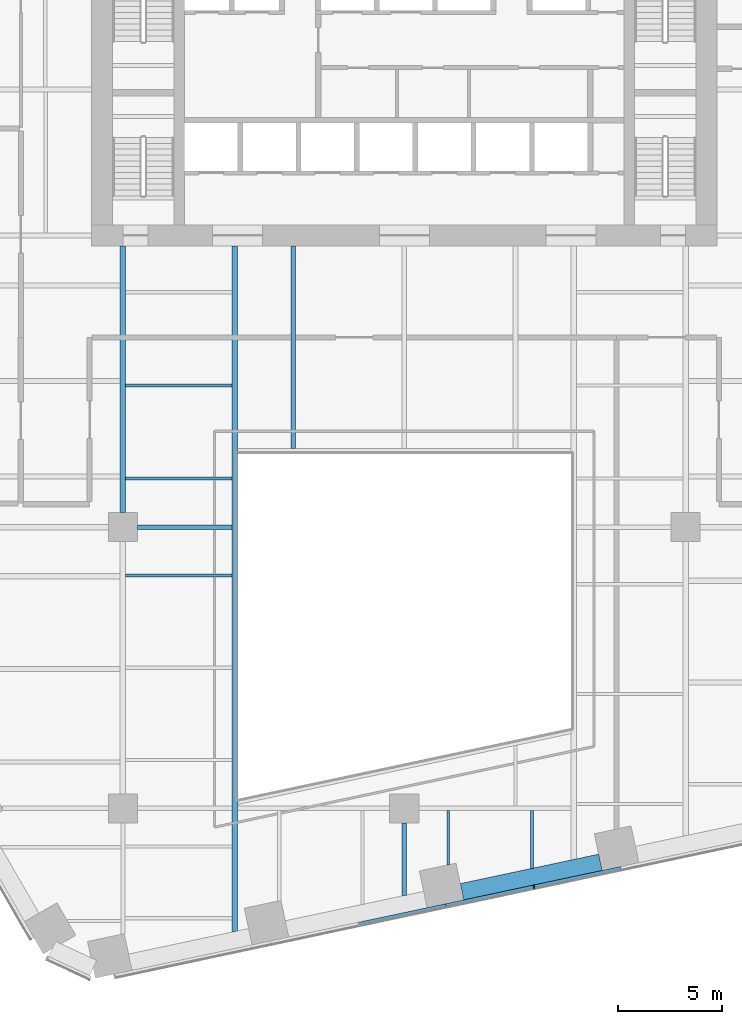
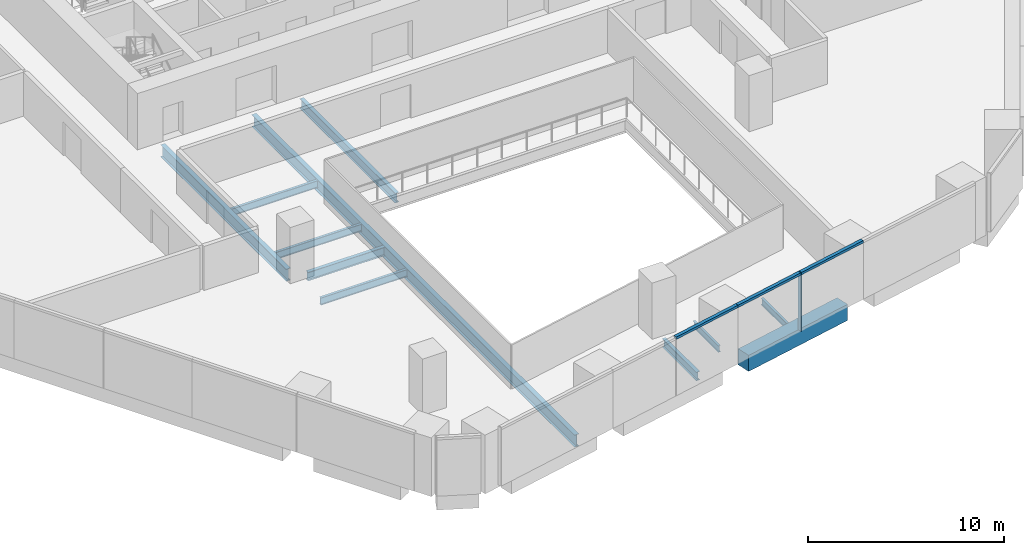
# One storey, part 4 of 20: 11 beams, 4 members, 1 element without a shape of its own.
"""IFC4 building model written with IfcOpenShell, lengths in metres."""

from ifc_helpers import new_model, si_unit, direction, frame, origin, origin_2d, place, context, subcontext, project, spatial, rectangle, i_section, extrude, material, layer, layer_set, material_profile, profile_set, type_object, element, aggregate, save


model = new_model("IFC4")

# Units and contexts
model_context = context("Model", 3, precision=1e-05, world=origin(), true_north=direction((0.0, 1.0)))
body_context = subcontext(model_context, "Body", "Model", "MODEL_VIEW")
ifc_project = project(units=[si_unit("LENGTHUNIT", "METRE"), si_unit("AREAUNIT", "SQUARE_METRE"), si_unit("VOLUMEUNIT", "CUBIC_METRE"), si_unit("PLANEANGLEUNIT", "RADIAN"), si_unit("MASSUNIT", "GRAM", prefix="KILO")], contexts=[model_context])

# Site, building, storey
site_placement = place(None, origin())
site = spatial("IfcSite", under=ifc_project, at=site_placement, CompositionType="ELEMENT")
building_placement = place(site_placement, origin())
building = spatial("IfcBuilding", under=site, at=building_placement, Name="Isthmus Gate Tower", CompositionType="ELEMENT")
storey_placement = place(building_placement, frame((0.0, 0.0, 43.300048828125)))
storey = spatial("IfcBuildingStorey", under=building, at=storey_placement, Name="L08", CompositionType="ELEMENT", Elevation=43.300048828125)

# Curtain wall, members
ifc_material_1 = material(Name="Aluminium, pale champagne anodised", Category="aluminium")
ifc_layer = layer(ifc_material_1, 0.199951171875)
ifc_layer_set = layer_set([ifc_layer], Name="CW-1 UNITISED CURTAIN WALL 200 DEEP")
curtain_wall_type = type_object("IfcCurtainWallType", Name="CW-1 UNITISED CURTAIN WALL 200 DEEP", PredefinedType="NOTDEFINED", material=ifc_layer_set)
curtain_wall_placement = place(storey_placement, origin())
curtain_wall = element("IfcCurtainWall", 1, at=curtain_wall_placement, inside=storey, type_object=curtain_wall_type, Name="CW-1 S L08", PredefinedType="NOTDEFINED")
ifc_material_2 = material(Name="Aluminium, pale champagne anodised", Category="aluminium")
ifc_material_profile_1 = material_profile(ifc_material_2, rectangle(XDim=0.06005859375, YDim=0.199951171875, at=origin_2d()), Name="60x200")
ifc_profile_set_1 = profile_set([ifc_material_profile_1], Name="Aluminium, pale champagne anodised")
member_type_1 = type_object("IfcMemberType", Name="CW-1 MULLION 60 X 200", PredefinedType="MULLION", material=ifc_profile_set_1)
member_1_placement = place(storey_placement, frame((6.228759765625, -30.7783203125, 0.0), z_axis=(0.0, 0.0, 1.0), x_axis=(0.978147600734, 0.207911690818, 0.0)))
member_1 = element("IfcMember", 2, at=member_1_placement, type_object=member_type_1, Name="CW-1 mullion", PredefinedType="MULLION", context=body_context, shape_type="SweptSolid", body=[
    extrude(rectangle(XDim=0.06005859375, YDim=0.199951171875, at=origin_2d()), origin(), (0.0, 0.0, 1.0), 3.64990234375),
])
ifc_material_3 = material(Name="Aluminium, pale champagne anodised", Category="aluminium")
ifc_material_profile_2 = material_profile(ifc_material_3, rectangle(XDim=0.199951171875, YDim=0.14990234375, at=origin_2d()), Name="200x150")
ifc_profile_set_2 = profile_set([ifc_material_profile_2], Name="Aluminium, pale champagne anodised")
member_type_2 = type_object("IfcMemberType", Name="CW-1 TRANSOM 200 X 150", PredefinedType="USERDEFINED", material=ifc_profile_set_2)
member_2_placement = place(storey_placement, frame((-2.1435546875, -32.557861328125, 3.574951171875), z_axis=(0.978150351608, 0.20789874855, 0.0), x_axis=(-0.20789874855, 0.978150351608, 0.0)))
member_2 = element("IfcMember", 3, at=member_2_placement, type_object=member_type_2, Name="CW-1 transom", ObjectType="TRANSOM", PredefinedType="USERDEFINED", context=body_context, shape_type="SweptSolid", body=[
    extrude(rectangle(XDim=0.199951171875, YDim=0.14990234375, at=origin_2d()), origin(), (0.0, 0.0, 1.0), 4.234619140625),
])
member_3_placement = place(storey_placement, frame((1.99853515625, -31.677490234375, 3.574951171875), z_axis=(0.97813890815, 0.207952582007, 0.0), x_axis=(-0.207952582007, 0.97813890815, 0.0)))
member_3 = element("IfcMember", 4, at=member_3_placement, type_object=member_type_2, Name="CW-1 transom", ObjectType="TRANSOM", PredefinedType="USERDEFINED", context=body_context, shape_type="SweptSolid", body=[
    extrude(rectangle(XDim=0.199951171875, YDim=0.14990234375, at=origin_2d()), origin(), (0.0, 0.0, 1.0), 4.294677734375),
])
member_4_placement = place(storey_placement, frame((6.258056640625, -30.77197265625, 3.574951171875), z_axis=(0.978150351608, 0.20789874855, 0.0), x_axis=(-0.20789874855, 0.978150351608, 0.0)))
member_4 = element("IfcMember", 5, at=member_4_placement, type_object=member_type_2, Name="CW-1 transom", ObjectType="TRANSOM", PredefinedType="USERDEFINED", context=body_context, shape_type="SweptSolid", body=[
    extrude(rectangle(XDim=0.199951171875, YDim=0.14990234375, at=origin_2d()), origin(), (0.0, 0.0, 1.0), 4.234619140625),
])
aggregate(curtain_wall, [member_2, member_3, member_1, member_4])

# Beams
ifc_material_4 = material(Name="Concrete f'c 70 MPa", Category="concrete")
ifc_material_profile_3 = material_profile(ifc_material_4, rectangle(XDim=0.800048828125, YDim=1.0, at=origin_2d()), Name="RC 800X1000")
ifc_profile_set_3 = profile_set([ifc_material_profile_3], Name="Concrete f'c 70 MPa")
beam_type_1 = type_object("IfcBeamType", Name="RC SPANDREL 800 X 1000", PredefinedType="SPANDREL", material=ifc_profile_set_3)
beam_1_placement = place(storey_placement, frame((9.415771484375, -29.589599609375, -0.5), z_axis=(-0.978145779981, -0.207920256603, 0.0), x_axis=(0.207920256603, -0.978145779981, 0.0)))
element("IfcBeam", 6, at=beam_1_placement, inside=storey, type_object=beam_type_1, Name="str-spandrel-L08-11", PredefinedType="SPANDREL", context=body_context, shape_type="SweptSolid", body=[
    extrude(rectangle(XDim=0.800048828125, YDim=1.0, at=origin_2d()), origin(), (0.0, 0.0, 1.0), 6.789306640625),
])
ifc_material_5 = material(Name="Structural steel ASTM A992 Gr 50", Category="steel")
ifc_material_profile_4 = material_profile(ifc_material_5, i_section(OverallWidth=0.1396484375, OverallDepth=0.4033203125, WebThickness=0.00634765625, FlangeThickness=0.010986328125, at=origin_2d()), Name="W16X31")
ifc_profile_set_4 = profile_set([ifc_material_profile_4], Name="Structural steel ASTM A992 Gr 50")
beam_type_2 = type_object("IfcBeamType", Name="STEEL FLOOR BEAM W16X31", PredefinedType="JOIST", material=ifc_profile_set_4)
beam_2_placement = place(storey_placement, frame((2.111572265625, -29.7109375, -0.3515625), z_axis=(0.0, 1.0, 0.0), x_axis=(-1.0, 0.0, 0.0)))
element("IfcBeam", 7, at=beam_2_placement, inside=storey, type_object=beam_type_2, Name="str-beam-L08-18-00", PredefinedType="JOIST", context=body_context, shape_type="SweptSolid", body=[
    extrude(i_section(OverallWidth=0.1396484375, OverallDepth=0.4033203125, WebThickness=0.00634765625, FlangeThickness=0.010986328125, at=origin_2d()), origin(), (0.0, 0.0, 1.0), 2.5966796875),
])
beam_3_placement = place(storey_placement, frame((6.125, -29.880126953125, -0.3515625), z_axis=(0.0, 1.0, 0.0), x_axis=(-1.0, 0.0, 0.0)))
element("IfcBeam", 8, at=beam_3_placement, inside=storey, type_object=beam_type_2, Name="str-beam-L08-18-01", PredefinedType="JOIST", context=body_context, shape_type="SweptSolid", body=[
    extrude(i_section(OverallWidth=0.1396484375, OverallDepth=0.4033203125, WebThickness=0.00634765625, FlangeThickness=0.010986328125, at=origin_2d()), origin(), (0.0, 0.0, 1.0), 2.765869140625),
])
ifc_material_6 = material(Name="Structural steel ASTM A992 Gr 50", Category="steel")
ifc_material_profile_5 = material_profile(ifc_material_6, i_section(OverallWidth=0.15234375, OverallDepth=0.45068359375, WebThickness=0.0078125, FlangeThickness=0.010986328125, at=origin_2d()), Name="W18X35")
ifc_profile_set_5 = profile_set([ifc_material_profile_5], Name="Structural steel ASTM A992 Gr 50")
beam_type_3 = type_object("IfcBeamType", Name="STEEL FLOOR BEAM W18X35", PredefinedType="JOIST", material=ifc_profile_set_5)
for number, where, z_axis, x_axis, name in (
    (9, (-13.3681640625, -11.16259765625, -0.37548828125), (1.0, 0.0, 0.0), (0.0, 1.0, 0.0), "str-beam-L08-11-00"),
    (10, (-13.3681640625, -6.697509765625, -0.37548828125), (1.0, 0.0, 0.0), (0.0, 1.0, 0.0), "str-beam-L08-11-01"),
    (11, (-13.3681640625, -15.81982421875, -0.37548828125), (1.0, 0.0, 0.0), (0.0, 1.0, 0.0), "str-beam-L08-12-02"),
):
    element("IfcBeam", number, at=place(storey_placement, frame(where, z_axis=z_axis, x_axis=x_axis)), inside=storey, type_object=beam_type_3, Name=name, PredefinedType="JOIST", context=body_context, shape_type="SweptSolid", body=[
        extrude(i_section(OverallWidth=0.15234375, OverallDepth=0.45068359375, WebThickness=0.0078125, FlangeThickness=0.010986328125, at=origin_2d()), origin(), (0.0, 0.0, 1.0), 5.1015625),
    ])
ifc_material_7 = material(Name="Structural steel ASTM A992 Gr 50", Category="steel")
ifc_material_profile_6 = material_profile(ifc_material_7, i_section(OverallWidth=0.228515625, OverallDepth=0.603271484375, WebThickness=0.010986328125, FlangeThickness=0.014404296875, at=origin_2d()), Name="W24X68")
ifc_profile_set_6 = profile_set([ifc_material_profile_6], Name="Structural steel ASTM A992 Gr 50")
beam_type_4 = type_object("IfcBeamType", Name="STEEL FLOOR BEAM W24X68", PredefinedType="JOIST", material=ifc_profile_set_6)
beam_4_placement = place(storey_placement, frame((-5.333251953125, -9.7333984375, -0.45166015625), z_axis=(0.0, 1.0, 0.0), x_axis=(-1.0, 0.0, 0.0)))
element("IfcBeam", 12, at=beam_4_placement, inside=storey, type_object=beam_type_4, Name="str-beam-L08-16-00", PredefinedType="JOIST", context=body_context, shape_type="SweptSolid", body=[
    extrude(i_section(OverallWidth=0.228515625, OverallDepth=0.603271484375, WebThickness=0.010986328125, FlangeThickness=0.014404296875, at=origin_2d()), origin(), (0.0, 0.0, 1.0), 9.7333984375),
])
ifc_material_8 = material(Name="Structural steel ASTM A992 Gr 50", Category="steel")
ifc_material_profile_7 = material_profile(ifc_material_8, i_section(OverallWidth=0.20947265625, OverallDepth=0.533447265625, WebThickness=0.009521484375, FlangeThickness=0.015869140625, at=origin_2d()), Name="W21X62")
ifc_profile_set_7 = profile_set([ifc_material_profile_7], Name="Structural steel ASTM A992 Gr 50")
beam_type_5 = type_object("IfcBeamType", Name="STEEL GIRDER W21X62", PredefinedType="BEAM", material=ifc_profile_set_7)
beam_5_placement = place(storey_placement, frame((-12.800048828125, -13.5, -0.416748046875), z_axis=(1.0, 0.0, 0.0), x_axis=(0.0, 1.0, 0.0)))
element("IfcBeam", 13, at=beam_5_placement, inside=storey, type_object=beam_type_5, Name="str-girder-L08-06", PredefinedType="BEAM", context=body_context, shape_type="SweptSolid", body=[
    extrude(i_section(OverallWidth=0.20947265625, OverallDepth=0.533447265625, WebThickness=0.009521484375, FlangeThickness=0.015869140625, at=origin_2d()), origin(), (0.0, 0.0, 1.0), 4.533447265625),
])
beam_6_placement = place(storey_placement, frame((0.0, -31.18212890625, -0.416748046875), z_axis=(0.0, 1.0, 0.0), x_axis=(-1.0, 0.0, 0.0)))
element("IfcBeam", 14, at=beam_6_placement, inside=storey, type_object=beam_type_5, Name="str-girder-L08-28", PredefinedType="BEAM", context=body_context, shape_type="SweptSolid", body=[
    extrude(i_section(OverallWidth=0.20947265625, OverallDepth=0.533447265625, WebThickness=0.009521484375, FlangeThickness=0.015869140625, at=origin_2d()), origin(), (0.0, 0.0, 1.0), 3.482177734375),
])
ifc_material_9 = material(Name="Structural steel ASTM A992 Gr 50", Category="steel")
ifc_material_profile_8 = material_profile(ifc_material_9, i_section(OverallWidth=0.263427734375, OverallDepth=0.749267578125, WebThickness=0.0126953125, FlangeThickness=0.015869140625, at=origin_2d()), Name="W30X90")
ifc_profile_set_8 = profile_set([ifc_material_profile_8], Name="Structural steel ASTM A992 Gr 50")
beam_type_6 = type_object("IfcBeamType", Name="STEEL GIRDER W30X90", PredefinedType="BEAM", material=ifc_profile_set_8)
beam_7_placement = place(storey_placement, frame((-13.5, -12.800048828125, -0.524658203125), z_axis=(0.0, 1.0, 0.0), x_axis=(-1.0, 0.0, 0.0)))
element("IfcBeam", 15, at=beam_7_placement, inside=storey, type_object=beam_type_6, Name="str-girder-L08-25", PredefinedType="BEAM", context=body_context, shape_type="SweptSolid", body=[
    extrude(i_section(OverallWidth=0.263427734375, OverallDepth=0.749267578125, WebThickness=0.0126953125, FlangeThickness=0.015869140625, at=origin_2d()), origin(), (0.0, 0.0, 1.0), 12.800048828125),
])
ifc_material_10 = material(Name="Structural steel ASTM A992 Gr 50", Category="steel")
ifc_material_profile_9 = material_profile(ifc_material_10, i_section(OverallWidth=0.2666015625, OverallDepth=0.7587890625, WebThickness=0.014404296875, FlangeThickness=0.01904296875, at=origin_2d()), Name="W30X108")
ifc_profile_set_9 = profile_set([ifc_material_profile_9], Name="Structural steel ASTM A992 Gr 50")
beam_type_7 = type_object("IfcBeamType", Name="STEEL TRIMMER W30X108", PredefinedType="BEAM", material=ifc_profile_set_9)
beam_8_placement = place(storey_placement, frame((-8.13330078125, 0.0, -0.529541015625), z_axis=(0.0, -1.0, 0.0), x_axis=(1.0, 0.0, 0.0)))
element("IfcBeam", 16, at=beam_8_placement, inside=storey, type_object=beam_type_7, Name="str-trimmer-L08-02", PredefinedType="BEAM", context=body_context, shape_type="SweptSolid", body=[
    extrude(i_section(OverallWidth=0.2666015625, OverallDepth=0.7587890625, WebThickness=0.014404296875, FlangeThickness=0.01904296875, at=origin_2d()), origin(), (0.0, 0.0, 1.0), 32.910888671875),
])

save(model, "model.ifc")
